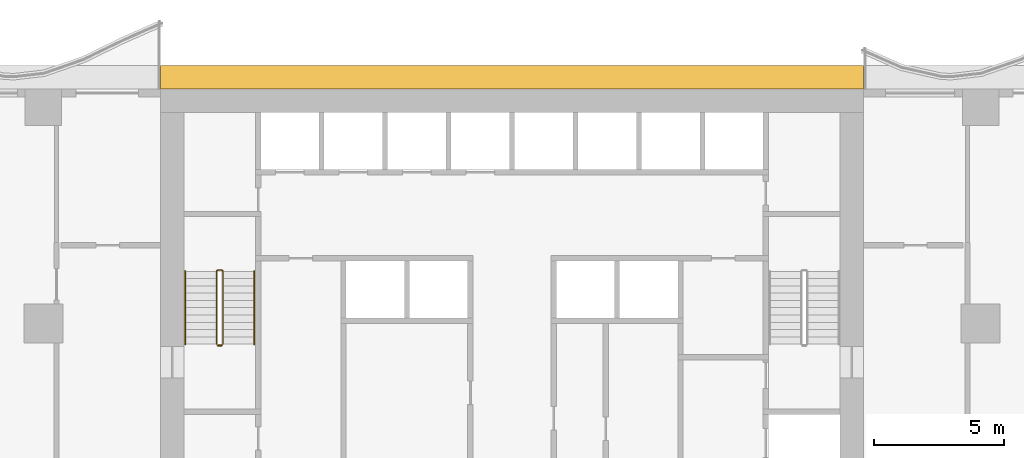
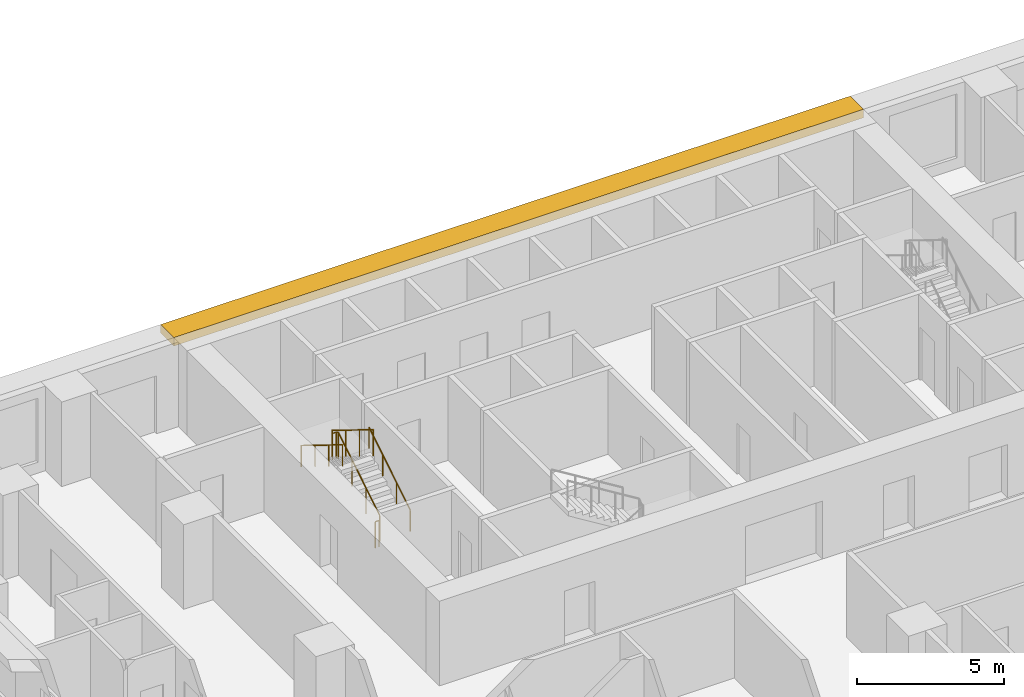
# One storey, part 12 of 14: 4 railings, 1 shading device.
"""IFC4 building model written with IfcOpenShell, lengths in metres."""

import ifcopenshell
import ifcopenshell.guid

model = None  # the IFC model being written
_history = None  # IfcOwnerHistory: only IFC2X3 demands one
_inside = {}  # id of a spatial element -> (the spatial element, [elements in it])
_under = {}  # id of a project, library or spatial element -> (it, [spatial elements below it])
_declared = {}  # id of a project -> (the project, [libraries it declares])
_typed = {}  # id of a type object -> (the type object, [elements of that type])
_made_of = {}  # id of a material, layer set ... -> (it, [elements and type objects made of it])


def new_model(schema):
    """Start an empty IFC model of exactly this schema.

    Asked for "IFC4X3", IfcOpenShell would pick the latest addendum, in which some entities
    have other attributes; the version numbers below select the first issue.
    IFC2X3 requires an IfcOwnerHistory on every rooted entity: one is made here for all.
    """
    global model, _history
    if schema == "IFC4X3":
        model = ifcopenshell.file(schema_version=(4, 3, 0, 0))
    else:
        model = ifcopenshell.file(schema=schema)
    _inside.clear()
    _under.clear()
    _declared.clear()
    _typed.clear()
    _made_of.clear()
    _history = None
    if model.schema == "IFC2X3":
        org = make("IfcOrganization", Name="unknown")
        user = make(
            "IfcPersonAndOrganization",
            ThePerson=make("IfcPerson", FamilyName="unknown"),
            TheOrganization=org,
        )
        app = make(
            "IfcApplication",
            ApplicationDeveloper=org,
            Version="unknown",
            ApplicationFullName="unknown",
            ApplicationIdentifier="unknown",
        )
        _history = make(
            "IfcOwnerHistory",
            OwningUser=user,
            OwningApplication=app,
            ChangeAction="ADDED",
            CreationDate=0,
        )
    return model


def make(cls, **values):
    """One entity of the class cls with the attributes given. An attribute that is None is left unset."""
    return model.create_entity(
        cls, **{name: value for name, value in values.items() if value is not None}
    )


def rooted(cls, **values):
    """An entity with a GlobalId (a new one), such as an element, a storey or a relation."""
    return make(cls, GlobalId=ifcopenshell.guid.new(), OwnerHistory=_history, **values)


def si_unit(unit_type, name, prefix=None):
    """IfcSIUnit, for example si_unit("LENGTHUNIT", "METRE", prefix="MILLI")."""
    return make("IfcSIUnit", UnitType=unit_type, Prefix=prefix, Name=name)


def assignment(units):
    """IfcUnitAssignment: the units of a project."""
    return None if units is None else make("IfcUnitAssignment", Units=units)


def point(xyz):
    """IfcCartesianPoint."""
    return None if xyz is None else make("IfcCartesianPoint", Coordinates=xyz)


def direction(xyz):
    """IfcDirection."""
    return None if xyz is None else make("IfcDirection", DirectionRatios=xyz)


def frame(location, z_axis=None, x_axis=None):
    """IfcAxis2Placement3D, a coordinate frame: its origin and axes. An axis left out is left unset."""
    return make(
        "IfcAxis2Placement3D",
        Location=point(location),
        Axis=direction(z_axis),
        RefDirection=direction(x_axis),
    )


def frame_2d(location, x_axis=None):
    """IfcAxis2Placement2D, a coordinate frame in the plane: its origin and x axis."""
    return make(
        "IfcAxis2Placement2D", Location=point(location), RefDirection=direction(x_axis)
    )


def origin():
    """The frame at (0, 0, 0) with its axes left unset."""
    return frame((0.0, 0.0, 0.0))


def origin_2d():
    """The frame at (0, 0) in the plane with its x axis left unset."""
    return frame_2d((0.0, 0.0))


def place(relative_to, where):
    """IfcLocalPlacement: puts the frame where relative to a parent placement (None: the world)."""
    return make(
        "IfcLocalPlacement", PlacementRelTo=relative_to, RelativePlacement=where
    )


def context(
    kind, dimensions, precision=None, world=None, true_north=None, identifier=None
):
    """IfcGeometricRepresentationContext, for example the 3D "Model" context."""
    return make(
        "IfcGeometricRepresentationContext",
        ContextIdentifier=identifier,
        ContextType=kind,
        CoordinateSpaceDimension=dimensions,
        Precision=precision,
        WorldCoordinateSystem=world,
        TrueNorth=true_north,
    )


def subcontext(parent, identifier, kind, view, scale=None):
    """IfcGeometricRepresentationSubContext, for example "Body" below "Model"."""
    return make(
        "IfcGeometricRepresentationSubContext",
        ContextIdentifier=identifier,
        ContextType=kind,
        ParentContext=parent,
        TargetScale=scale,
        TargetView=view,
    )


def project(units=None, contexts=None):
    """IfcProject with its units and contexts."""
    return rooted(
        "IfcProject",
        Name="project",
        RepresentationContexts=contexts,
        UnitsInContext=assignment(units),
    )


def spatial(cls, under=None, at=None, **own):
    """A site, building, storey or space (cls), placed at a placement, below another one or the project."""
    s = rooted(cls, ObjectPlacement=at, **own)
    if under is not None:
        _under.setdefault(under.id(), (under, []))[1].append(s)
    return s


def polyline(points):
    """IfcPolyline through the points."""
    return make("IfcPolyline", Points=[point(p) for p in points])


def profile(cls, at=None, kind="AREA", **sizes):
    """A parametric profile (cls). Its sizes go by their IFC names, for example OverallWidth=200.0."""
    return make(cls, ProfileType=kind, Position=at, **sizes)


def circle(**sizes):
    """IfcCircleProfileDef."""
    return profile("IfcCircleProfileDef", **sizes)


def outline(outer, holes=None, kind="AREA"):
    """IfcArbitraryClosedProfileDef: a profile drawn as a closed curve; with holes, ...WithVoids."""
    if holes is None:
        return make("IfcArbitraryClosedProfileDef", ProfileType=kind, OuterCurve=outer)
    return make(
        "IfcArbitraryProfileDefWithVoids",
        ProfileType=kind,
        OuterCurve=outer,
        InnerCurves=holes,
    )


def extrude(swept, where, along, depth):
    """IfcExtrudedAreaSolid: the profile swept, set in the frame where, extruded along a direction by depth."""
    return make(
        "IfcExtrudedAreaSolid",
        SweptArea=swept,
        Position=where,
        ExtrudedDirection=direction(along),
        Depth=depth,
    )


def shape(context_of_items, identifier, shape_type, items):
    """IfcShapeRepresentation: the items that make up one representation, for example the "Body"."""
    return make(
        "IfcShapeRepresentation",
        ContextOfItems=context_of_items,
        RepresentationIdentifier=identifier,
        RepresentationType=shape_type,
        Items=items,
    )


def material(Name=None, Category=None):
    """IfcMaterial."""
    return make("IfcMaterial", Name=Name, Category=Category)


def layer(
    of_material, thickness, ventilated=None, Name=None, Category=None, Priority=None
):
    """IfcMaterialLayer: one layer of a wall or slab, of a material (None: an air gap)."""
    return make(
        "IfcMaterialLayer",
        Material=of_material,
        LayerThickness=thickness,
        IsVentilated=ventilated,
        Name=Name,
        Category=Category,
        Priority=Priority,
    )


def layer_set(layers, Name=None):
    """IfcMaterialLayerSet."""
    return make("IfcMaterialLayerSet", MaterialLayers=layers, LayerSetName=Name)


def made_of(thing, what):
    """Note that an element or type object is made of a material, layer set ...; save() writes the relation."""
    if what is not None:
        _made_of.setdefault(what.id(), (what, []))[1].append(thing)
    return thing


def type_object(cls, material=None, **own):
    """A type object (cls), such as IfcWallType, which elements share."""
    return made_of(rooted(cls, **own), material)


def element(
    cls,
    number,
    at=None,
    inside=None,
    cuts=None,
    type_object=None,
    material=None,
    context=None,
    identifier="Body",
    shape_type=None,
    held_by="IfcProductDefinitionShape",
    body=None,
    shapes=None,
    **own,
):
    """One element of the class cls, such as IfcWall. Its Tag is "e" and its number.

    at: its placement. inside: the storey or other place that contains it. cuts: it is an
    opening in that element (IfcRelVoidsElement). A single representation is given by context,
    identifier, shape_type and body (its items); several are given by shapes. held_by: the class
    of the entity that holds the representations. save() writes the other relations.
    """
    e = rooted(cls, Tag="e%d" % number, ObjectPlacement=at, **own)
    if body is not None:
        shapes = [shape(context, identifier, shape_type, body)]
    if shapes is not None:
        e.Representation = make(held_by, Representations=shapes)
    if inside is not None:
        _inside.setdefault(inside.id(), (inside, []))[1].append(e)
    if cuts is not None:
        rooted(
            "IfcRelVoidsElement", RelatingBuildingElement=cuts, RelatedOpeningElement=e
        )
    if type_object is not None:
        _typed.setdefault(type_object.id(), (type_object, []))[1].append(e)
    return made_of(e, material)


def aggregate(whole, parts):
    """IfcRelAggregates: a whole, such as a stair, and the parts it consists of."""
    return rooted("IfcRelAggregates", RelatingObject=whole, RelatedObjects=parts)


def save(model, path):
    """Write the relations noted so far, then the file.

    IfcRelAggregates (storeys below a building ...), IfcRelContainedInSpatialStructure (elements
    in a storey), IfcRelDefinesByType, IfcRelAssociatesMaterial and IfcRelDeclares: one each for
    every whole, place, type object, material and project.
    """
    for whole, parts in _under.values():
        aggregate(whole, parts)
    for where, things in _inside.values():
        rooted(
            "IfcRelContainedInSpatialStructure",
            RelatedElements=things,
            RelatingStructure=where,
        )
    for kind, things in _typed.values():
        rooted("IfcRelDefinesByType", RelatedObjects=things, RelatingType=kind)
    for what, things in _made_of.values():
        rooted("IfcRelAssociatesMaterial", RelatedObjects=things, RelatingMaterial=what)
    for by, libraries in _declared.values():
        rooted("IfcRelDeclares", RelatingContext=by, RelatedDefinitions=libraries)
    model.write(path)


model = new_model("IFC4")

# Units and contexts
model_context = context("Model", 3, precision=1e-05, world=origin(), true_north=direction((0.0, 1.0)))
body_context = subcontext(model_context, "Body", "Model", "MODEL_VIEW")
ifc_project = project(units=[si_unit("LENGTHUNIT", "METRE"), si_unit("AREAUNIT", "SQUARE_METRE"), si_unit("VOLUMEUNIT", "CUBIC_METRE"), si_unit("PLANEANGLEUNIT", "RADIAN"), si_unit("MASSUNIT", "GRAM", prefix="KILO")], contexts=[model_context])

# Site, building, storey
site_placement = place(None, origin())
site = spatial("IfcSite", under=ifc_project, at=site_placement, CompositionType="ELEMENT")
building_placement = place(site_placement, origin())
building = spatial("IfcBuilding", under=site, at=building_placement, Name="Orbiselva Terraces", CompositionType="ELEMENT")
storey_placement = place(building_placement, frame((0.0, 0.0, 56.8)))
storey = spatial("IfcBuildingStorey", under=building, at=storey_placement, Name="L14", CompositionType="ELEMENT", Elevation=56.8)

# Railings
ifc_material_1 = material(Name="Stainless steel", Category="steel")
railing_type_1 = type_object("IfcRailingType", Name="CORE-GUARD-1100", PredefinedType="GUARDRAIL", material=ifc_material_1)
railing_1_placement = place(storey_placement, frame((-11.1, 12.7, 0.172727)))
element("IfcRailing", 1, at=railing_1_placement, inside=storey, type_object=railing_type_1, Name="L14 S1 stair guard 1", PredefinedType="GUARDRAIL", context=body_context, shape_type="SweptSolid", body=[
    extrude(circle(Radius=0.024, at=origin_2d()), frame((0.0, 0.0, 1.081), z_axis=(0.0, 0.851088519012, 0.52502222125), x_axis=(-1.0, 0.0, 0.0)), (0.0, 0.0, 1.0), 3.289905),
    extrude(circle(Radius=0.024, at=origin_2d()), frame((0.0, 2.8, 2.808273), z_axis=(-0.707106781187, 0.707106781187, 0.0), x_axis=(-0.707106781187, -0.707106781187, 0.0)), (0.0, 0.0, 1.0), 0.070711),
    extrude(circle(Radius=0.024, at=origin_2d()), frame((-0.05, 2.85, 2.808273), z_axis=(-1.0, 0.0, 0.0), x_axis=(0.0, -1.0, 0.0)), (0.0, 0.0, 1.0), 0.15),
    extrude(circle(Radius=0.024, at=origin_2d()), frame((-0.2, 2.85, 2.808273), z_axis=(-0.267894925557, -0.267894925557, 0.925453736133), x_axis=(0.707106781187, -0.707106781187, 0.0)), (0.0, 0.0, 1.0), 0.18664),
    extrude(circle(Radius=0.024, at=origin_2d()), frame((-0.25, 2.8, 2.981), z_axis=(0.0, -0.851088519012, 0.52502222125), x_axis=(1.0, 0.0, 0.0)), (0.0, 0.0, 1.0), 3.289905),
    extrude(circle(Radius=0.021, at=origin_2d()), origin(), (0.0, 0.0, 1.0), 1.057),
    extrude(circle(Radius=0.021, at=origin_2d()), frame((0.0, 0.933333, 0.575758)), (0.0, 0.0, 1.0), 1.057),
    extrude(circle(Radius=0.021, at=origin_2d()), frame((0.0, 1.866667, 1.151515)), (0.0, 0.0, 1.0), 1.057),
    extrude(circle(Radius=0.021, at=origin_2d()), frame((0.0, 2.8, 1.727273)), (0.0, 0.0, 1.0), 1.057),
    extrude(circle(Radius=0.021, at=origin_2d()), frame((-0.05, 2.85, 1.727273)), (0.0, 0.0, 1.0), 1.057),
    extrude(circle(Radius=0.021, at=origin_2d()), frame((-0.2, 2.85, 1.727273)), (0.0, 0.0, 1.0), 1.057),
    extrude(circle(Radius=0.021, at=origin_2d()), frame((-0.25, 2.8, 1.9)), (0.0, 0.0, 1.0), 1.057),
    extrude(circle(Radius=0.021, at=origin_2d()), frame((-0.25, 1.866667, 2.475758)), (0.0, 0.0, 1.0), 1.057),
    extrude(circle(Radius=0.021, at=origin_2d()), frame((-0.25, 0.933333, 3.051515)), (0.0, 0.0, 1.0), 1.057),
    extrude(circle(Radius=0.021, at=origin_2d()), frame((-0.25, 0.0, 3.627273)), (0.0, 0.0, 1.0), 1.057),
])
railing_2_placement = place(storey_placement, frame((-11.15, 12.65, 0.0)))
element("IfcRailing", 2, at=railing_2_placement, inside=storey, type_object=railing_type_1, Name="L14 S1 stair guard 2", PredefinedType="GUARDRAIL", context=body_context, shape_type="SweptSolid", body=[
    extrude(circle(Radius=0.024, at=origin_2d()), frame((0.0, 0.0, 1.081), z_axis=(-1.0, 0.0, 0.0), x_axis=(0.0, -1.0, 0.0)), (0.0, 0.0, 1.0), 0.15),
    extrude(circle(Radius=0.021, at=origin_2d()), origin(), (0.0, 0.0, 1.0), 1.057),
    extrude(circle(Radius=0.021, at=origin_2d()), frame((-0.15, 0.0, 0.0)), (0.0, 0.0, 1.0), 1.057),
])
railing_type_2 = type_object("IfcRailingType", Name="CORE-HANDRAIL-900", PredefinedType="HANDRAIL", material=ifc_material_1)
railing_3_placement = place(storey_placement, frame((-9.9, 12.7, 0.172727)))
element("IfcRailing", 3, at=railing_3_placement, inside=storey, type_object=railing_type_2, Name="L14 S1 stair handrail 1", PredefinedType="HANDRAIL", context=body_context, shape_type="SweptSolid", body=[
    extrude(circle(Radius=0.024, at=origin_2d()), frame((0.0, 0.0, 0.876), z_axis=(0.0, 0.851088519012, 0.52502222125), x_axis=(-1.0, 0.0, 0.0)), (0.0, 0.0, 1.0), 3.289905),
    extrude(circle(Radius=0.021, at=origin_2d()), origin(), (0.0, 0.0, 1.0), 0.852),
    extrude(circle(Radius=0.021, at=origin_2d()), frame((0.0, 0.933333, 0.575758)), (0.0, 0.0, 1.0), 0.852),
    extrude(circle(Radius=0.021, at=origin_2d()), frame((0.0, 1.866667, 1.151515)), (0.0, 0.0, 1.0), 0.852),
    extrude(circle(Radius=0.021, at=origin_2d()), frame((0.0, 2.8, 1.727273)), (0.0, 0.0, 1.0), 0.852),
])
railing_4_placement = place(storey_placement, frame((-12.55, 15.5, 2.072727)))
element("IfcRailing", 4, at=railing_4_placement, inside=storey, type_object=railing_type_2, Name="L14 S1 stair handrail 2", PredefinedType="HANDRAIL", context=body_context, shape_type="SweptSolid", body=[
    extrude(circle(Radius=0.024, at=origin_2d()), frame((0.0, 0.0, 0.876), z_axis=(0.0, -0.851088519012, 0.52502222125), x_axis=(1.0, 0.0, 0.0)), (0.0, 0.0, 1.0), 3.289905),
    extrude(circle(Radius=0.021, at=origin_2d()), origin(), (0.0, 0.0, 1.0), 0.852),
    extrude(circle(Radius=0.021, at=origin_2d()), frame((0.0, -0.933333, 0.575758)), (0.0, 0.0, 1.0), 0.852),
    extrude(circle(Radius=0.021, at=origin_2d()), frame((0.0, -1.866667, 1.151515)), (0.0, 0.0, 1.0), 0.852),
    extrude(circle(Radius=0.021, at=origin_2d()), frame((0.0, -2.8, 1.727273)), (0.0, 0.0, 1.0), 0.852),
])

# Shading device
ifc_material_2 = material(Name="Terracotta baguette sunshade", Category="masonry")
ifc_layer = layer(ifc_material_2, 0.35)
ifc_layer_set = layer_set([ifc_layer], Name="Terracotta baguette sunshade")
shading_device_type = type_object("IfcShadingDeviceType", Name="ENV-SUNSHADE-900x350", PredefinedType="USERDEFINED", material=ifc_layer_set)
shading_device_placement = place(storey_placement, frame((0.0, 0.0, 3.15)))
element("IfcShadingDevice", 5, at=shading_device_placement, inside=storey, type_object=shading_device_type, Name="Sunshade band L14 CORE NORTH", ObjectType="SUNSHADE", PredefinedType="USERDEFINED", context=body_context, shape_type="SweptSolid", body=[
    extrude(outline(polyline([(13.5, 23.4), (-13.5, 23.4), (-13.5, 22.5), (13.5, 22.5), (13.5, 23.4)])), origin(), (0.0, 0.0, 1.0), 0.35),
])

save(model, "model.ifc")
